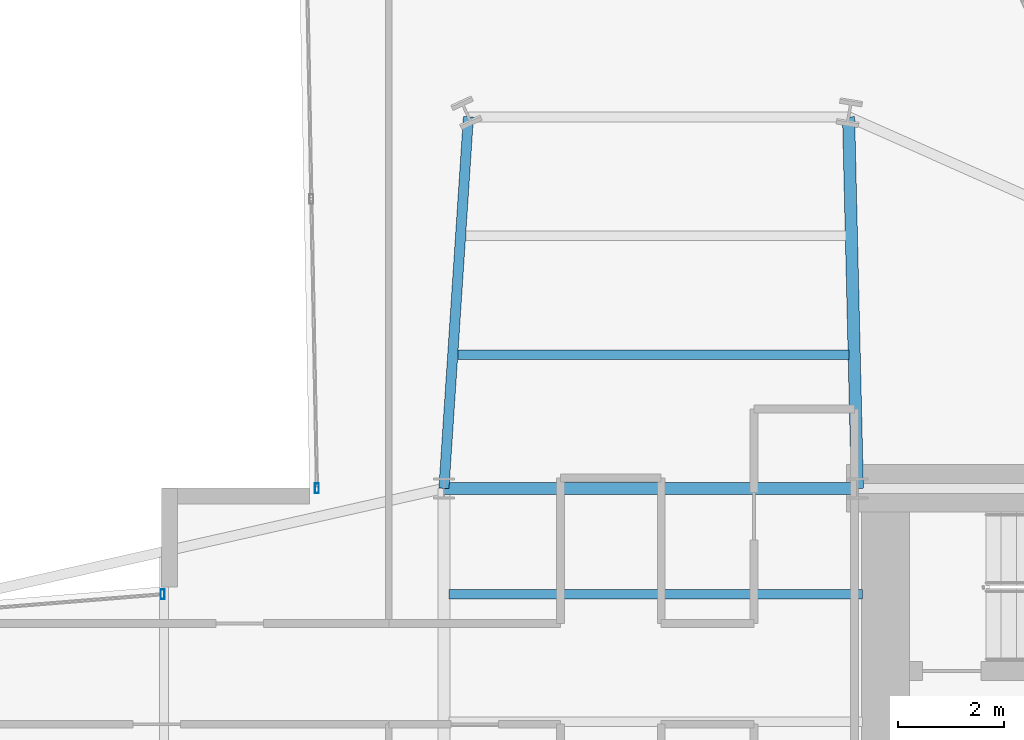
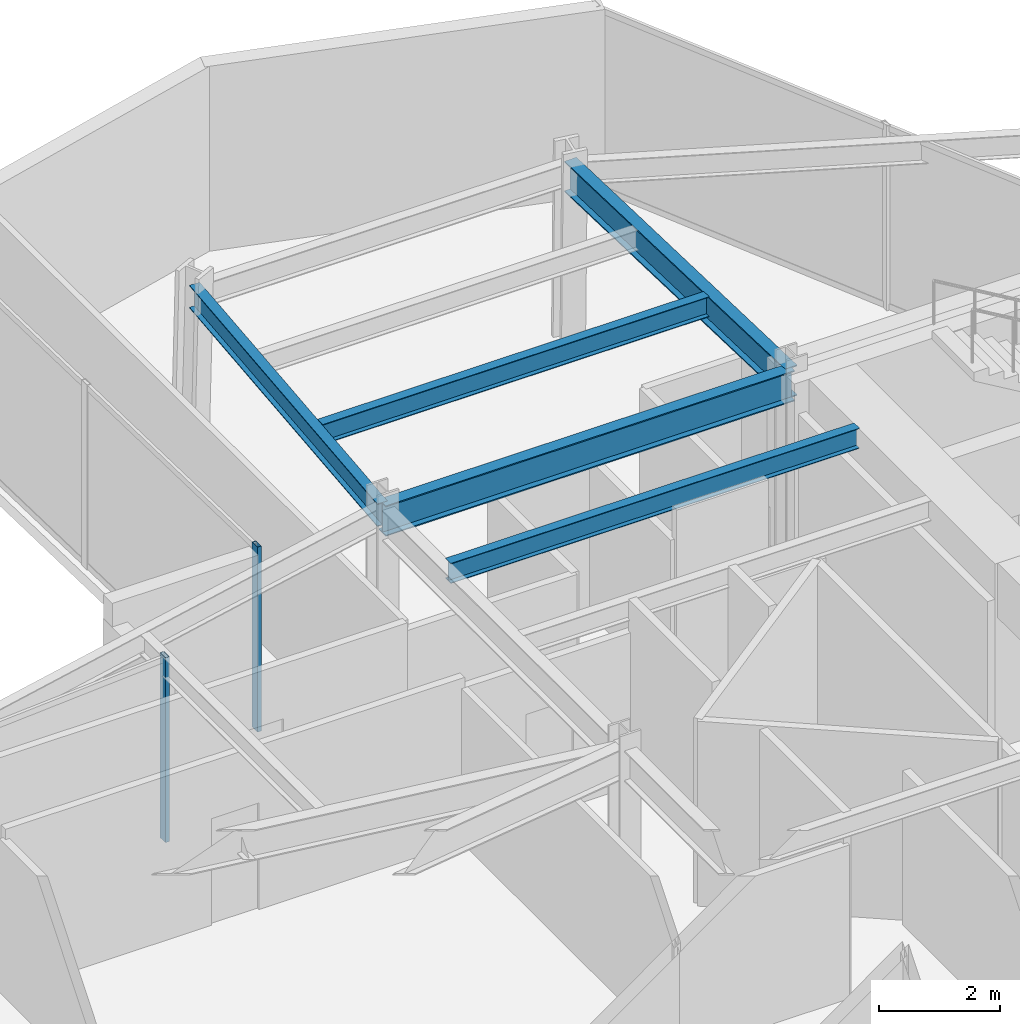
# One storey, part 9 of 25: 5 beams, 2 members, 2 elements without a shape of their own.
"""IFC4 building model written with IfcOpenShell, lengths in metres."""

from ifc_helpers import new_model, si_unit, direction, frame, origin, origin_2d, place, context, subcontext, project, spatial, hollow_rectangle, i_section, extrude, material, layer, layer_set, material_profile, profile_set, type_object, element, aggregate, save


model = new_model("IFC4")

# Units and contexts
model_context = context("Model", 3, precision=1e-05, world=origin(), true_north=direction((0.0, 1.0)))
body_context = subcontext(model_context, "Body", "Model", "MODEL_VIEW")
ifc_project = project(units=[si_unit("LENGTHUNIT", "METRE"), si_unit("AREAUNIT", "SQUARE_METRE"), si_unit("VOLUMEUNIT", "CUBIC_METRE"), si_unit("PLANEANGLEUNIT", "RADIAN"), si_unit("MASSUNIT", "GRAM", prefix="KILO")], contexts=[model_context])

# Site, building, storey
site_placement = place(None, origin())
site = spatial("IfcSite", under=ifc_project, at=site_placement, CompositionType="ELEMENT")
building_placement = place(site_placement, origin())
building = spatial("IfcBuilding", under=site, at=building_placement, Name="Veymaron Broadcast Tower", CompositionType="ELEMENT")
storey_placement = place(building_placement, frame((0.0, 0.0, 102.60009765625)))
storey = spatial("IfcBuildingStorey", under=building, at=storey_placement, Name="L23", CompositionType="ELEMENT", Elevation=102.60009765625)

# Beams
ifc_material_1 = material(Name="Structural steel ASTM A992 Gr 50", Category="steel")
ifc_material_profile_1 = material_profile(ifc_material_1, i_section(OverallWidth=0.22998046875, OverallDepth=0.616943359375, WebThickness=0.01318359375, FlangeThickness=0.022216796875, at=origin_2d()), Name="W610X140")
ifc_profile_set_1 = profile_set([ifc_material_profile_1], Name="Structural steel ASTM A992 Gr 50")
beam_type_1 = type_object("IfcBeamType", Name="BM-FG1", PredefinedType="BEAM", material=ifc_profile_set_1)
beam_1_placement = place(storey_placement, frame((31.199951171875, 32.0, 3.42138671875), z_axis=(1.0, 0.0, 0.0), x_axis=(0.0, 1.0, 0.0)))
element("IfcBeam", 1, at=beam_1_placement, inside=storey, type_object=beam_type_1, Name="L23 primary structural floor girder", PredefinedType="BEAM", context=body_context, shape_type="SweptSolid", body=[
    extrude(i_section(OverallWidth=0.22998046875, OverallDepth=0.616943359375, WebThickness=0.01318359375, FlangeThickness=0.022216796875, at=origin_2d()), origin(), (0.0, 0.0, 1.0), 7.800048828125),
])
beam_2_placement = place(storey_placement, frame((39.0, 32.0, 3.42138671875), z_axis=(-0.02353682054, 0.999722970667, 0.0), x_axis=(-0.999722970667, -0.02353682054, 0.0)))
element("IfcBeam", 2, at=beam_2_placement, inside=storey, type_object=beam_type_1, Name="L23 primary structural floor girder", PredefinedType="BEAM", context=body_context, shape_type="SweptSolid", body=[
    extrude(i_section(OverallWidth=0.22998046875, OverallDepth=0.616943359375, WebThickness=0.01318359375, FlangeThickness=0.022216796875, at=origin_2d()), origin(), (0.0, 0.0, 1.0), 7.011962890625),
])
ifc_material_profile_2 = material_profile(ifc_material_1, i_section(OverallWidth=0.177978515625, OverallDepth=0.406982421875, WebThickness=0.0078125, FlangeThickness=0.0126953125, at=origin_2d()), Name="W410X60")
ifc_profile_set_2 = profile_set([ifc_material_profile_2], Name="Structural steel ASTM A992 Gr 50")
beam_type_2 = type_object("IfcBeamType", Name="BM-JS1", PredefinedType="JOIST", material=ifc_profile_set_2)
beam_3_placement = place(storey_placement, frame((31.46630859375, 34.523681640625, 3.5263671875), z_axis=(1.0, 0.0, 0.0), x_axis=(0.0, 1.0, 0.0)))
element("IfcBeam", 3, at=beam_3_placement, inside=storey, type_object=beam_type_2, Name="L23 Arm-B secondary joist 1", PredefinedType="JOIST", context=body_context, shape_type="SweptSolid", body=[
    extrude(i_section(OverallWidth=0.177978515625, OverallDepth=0.406982421875, WebThickness=0.0078125, FlangeThickness=0.0126953125, at=origin_2d()), origin(), (0.0, 0.0, 1.0), 7.374267578125),
])
beam_4_placement = place(storey_placement, frame((31.300048828125, 30.0, 3.5263671875), z_axis=(1.0, 0.0, 0.0), x_axis=(0.0, 1.0, 0.0)))
element("IfcBeam", 4, at=beam_4_placement, inside=storey, type_object=beam_type_2, Name="L23 Hub secondary joist 4", PredefinedType="JOIST", context=body_context, shape_type="SweptSolid", body=[
    extrude(i_section(OverallWidth=0.177978515625, OverallDepth=0.406982421875, WebThickness=0.0078125, FlangeThickness=0.0126953125, at=origin_2d()), origin(), (0.0, 0.0, 1.0), 7.800048828125),
])
ifc_material_profile_3 = material_profile(ifc_material_1, i_section(OverallWidth=0.19091796875, OverallDepth=0.4599609375, WebThickness=0.010009765625, FlangeThickness=0.01611328125, at=origin_2d()), Name="W460X82")
ifc_profile_set_3 = profile_set([ifc_material_profile_3], Name="Structural steel ASTM A992 Gr 50")
beam_type_3 = type_object("IfcBeamType", Name="BM-SP1", PredefinedType="SPANDREL", material=ifc_profile_set_3)
beam_5_placement = place(storey_placement, frame((31.199951171875, 32.0, 3.5), z_axis=(0.065785510359, 0.997833787074, 0.0), x_axis=(-0.997833787074, 0.065785510359, 0.0)))
element("IfcBeam", 5, at=beam_5_placement, inside=storey, type_object=beam_type_3, Name="L23 primary structural floor girder", PredefinedType="SPANDREL", context=body_context, shape_type="SweptSolid", body=[
    extrude(i_section(OverallWidth=0.19091796875, OverallDepth=0.4599609375, WebThickness=0.010009765625, FlangeThickness=0.01611328125, at=origin_2d()), origin(), (0.0, 0.0, 1.0), 7.025146484375),
])

# Curtain wall, member
ifc_material_2 = material(Name="Anodised aluminium AA 6063-T6 and laminated low-E dark glass", Category="aluminium")
ifc_layer = layer(ifc_material_2, 0.179931640625)
ifc_layer_set = layer_set([ifc_layer], Name="Anodised aluminium AA 6063-T6 and laminated low-E dark glass")
curtain_wall_type = type_object("IfcCurtainWallType", Name="CW-SYS-02", PredefinedType="NOTDEFINED", material=ifc_layer_set)
curtain_wall_1_placement = place(storey_placement, origin())
curtain_wall_1 = element("IfcCurtainWall", 6, at=curtain_wall_1_placement, inside=storey, type_object=curtain_wall_type, Name="L23 dark-glass curtain wall CW-L23-E8-1", PredefinedType="NOTDEFINED")
ifc_material_3 = material(Name="Anodised aluminium AA 6063-T6", Category="aluminium")
ifc_material_profile_4 = material_profile(ifc_material_3, hollow_rectangle(XDim=0.074951171875, YDim=0.179931640625, WallThickness=0.0048828125, at=origin_2d()), Name="AL180X75X5")
ifc_profile_set_4 = profile_set([ifc_material_profile_4], Name="Anodised aluminium AA 6063-T6")
member_type = type_object("IfcMemberType", Name="CW-MUL-02", PredefinedType="MULLION", material=ifc_profile_set_4)
member_1_placement = place(storey_placement, frame((28.804443359375, 32.002685546875, 0.0), z_axis=(0.0, 0.0, 1.0), x_axis=(1.0, 0.0, 0.0)))
member_1 = element("IfcMember", 7, at=member_1_placement, type_object=member_type, Name="CW-L23-E8-1 mullion 2", PredefinedType="MULLION", context=body_context, shape_type="SweptSolid", body=[
    extrude(hollow_rectangle(XDim=0.074951171875, YDim=0.179931640625, WallThickness=0.0048828125, at=origin_2d()), origin(), (0.0, 0.0, 1.0), 3.72998046875),
])
aggregate(curtain_wall_1, [member_1])

curtain_wall_2_placement = place(storey_placement, origin())
curtain_wall_2 = element("IfcCurtainWall", 8, at=curtain_wall_2_placement, inside=storey, type_object=curtain_wall_type, Name="L23 dark-glass curtain wall CW-L23-E11-1", PredefinedType="NOTDEFINED")
member_2_placement = place(storey_placement, frame((25.891357421875, 30.0029296875, 0.0), z_axis=(0.0, 0.0, 1.0), x_axis=(1.0, 0.0, 0.0)))
member_2 = element("IfcMember", 9, at=member_2_placement, type_object=member_type, Name="CW-L23-E11-1 mullion 0", PredefinedType="MULLION", context=body_context, shape_type="SweptSolid", body=[
    extrude(hollow_rectangle(XDim=0.074951171875, YDim=0.179931640625, WallThickness=0.0048828125, at=origin_2d()), origin(), (0.0, 0.0, 1.0), 3.72998046875),
])
aggregate(curtain_wall_2, [member_2])

save(model, "model.ifc")
